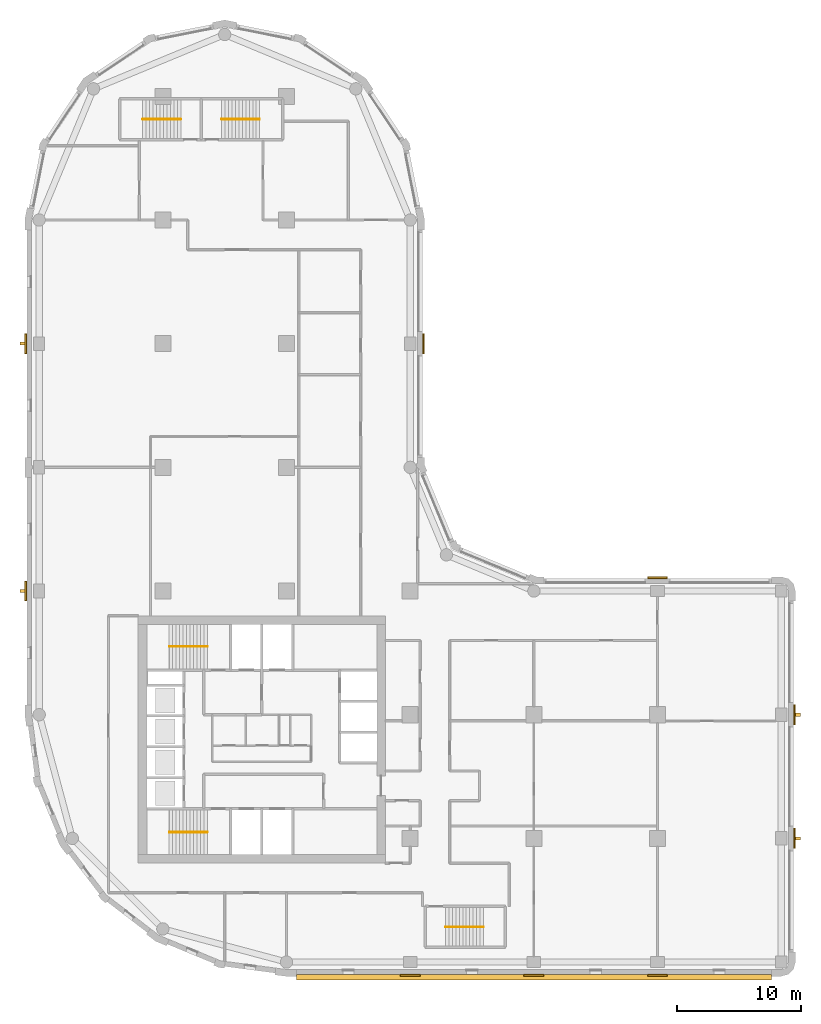
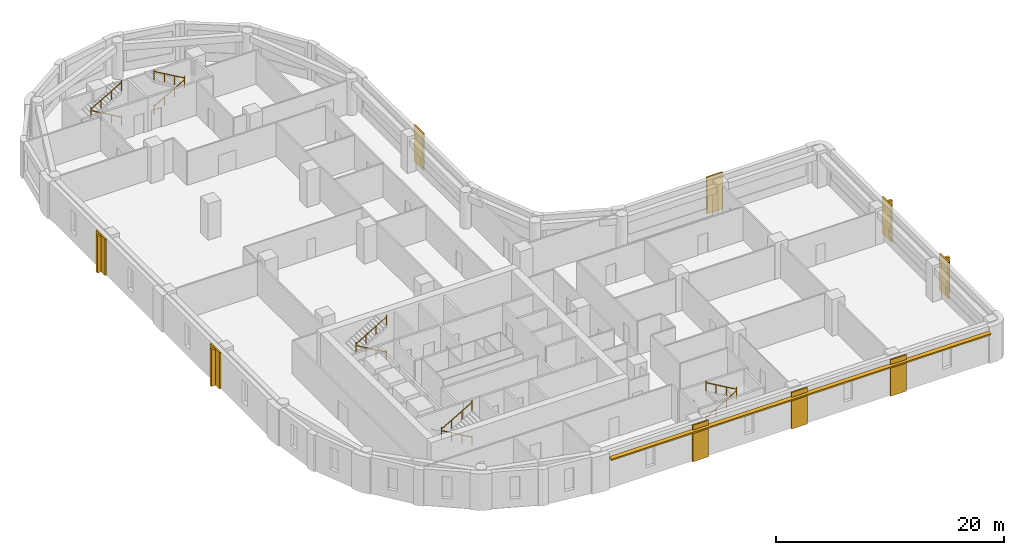
# One storey, part 8 of 9: 10 railings, 9 coverings, 5 shading devices.
"""IFC4 building model written with IfcOpenShell, lengths in metres."""

from ifc_helpers import new_model, si_unit, direction, frame, origin, origin_2d, place, context, subcontext, project, spatial, polyline, rectangle, circle, outline, extrude, material, layer, layer_set, type_object, element, save


model = new_model("IFC4")

# Units and contexts
model_context = context("Model", 3, precision=1e-05, world=origin(), true_north=direction((0.0, 1.0)))
body_context = subcontext(model_context, "Body", "Model", "MODEL_VIEW")
ifc_project = project(units=[si_unit("LENGTHUNIT", "METRE"), si_unit("AREAUNIT", "SQUARE_METRE"), si_unit("VOLUMEUNIT", "CUBIC_METRE"), si_unit("PLANEANGLEUNIT", "RADIAN"), si_unit("MASSUNIT", "GRAM", prefix="KILO")], contexts=[model_context])

# Site, building, storey
site_placement = place(None, origin())
site = spatial("IfcSite", under=ifc_project, at=site_placement, CompositionType="ELEMENT")
building_placement = place(site_placement, origin())
building = spatial("IfcBuilding", under=site, at=building_placement, Name="Qaws Garden Tower", CompositionType="ELEMENT")
storey_placement = place(building_placement, frame((0.0, 0.0, 159.0)))
storey = spatial("IfcBuildingStorey", under=building, at=storey_placement, Name="L38", CompositionType="ELEMENT", Elevation=159.0)

# Coverings
ifc_material_1 = material(Name="Clay facing brick masonry", Category="masonry")
ifc_layer_1 = layer(ifc_material_1, 0.14990234375)
ifc_layer_set_1 = layer_set([ifc_layer_1], Name="Clay facing brick masonry")
covering_type = type_object("IfcCoveringType", Name="Brick pilaster facing 150 x 1600", PredefinedType="CLADDING", material=ifc_layer_set_1)
placement = place(storey_placement, origin())
element("IfcCovering", 1, at=placement, inside=storey, type_object=covering_type, Name="E-L38-pier-01", PredefinedType="CLADDING", context=body_context, shape_type="SweptSolid", body=[
    extrude(outline(polyline([(29.199951171875, -1.0), (30.800048828125, -1.0), (30.800048828125, -1.14990234375), (29.199951171875, -1.14990234375), (29.199951171875, -1.0)])), origin(), (0.0, 0.0, 1.0), 3.89990234375),
])
element("IfcCovering", 2, at=placement, inside=storey, type_object=covering_type, Name="E-L38-pier-02", PredefinedType="CLADDING", context=body_context, shape_type="SweptSolid", body=[
    extrude(outline(polyline([(39.199951171875, -1.0), (40.800048828125, -1.0), (40.800048828125, -1.14990234375), (39.199951171875, -1.14990234375), (39.199951171875, -1.0)])), origin(), (0.0, 0.0, 1.0), 3.89990234375),
])
element("IfcCovering", 3, at=placement, inside=storey, type_object=covering_type, Name="E-L38-pier-03", PredefinedType="CLADDING", context=body_context, shape_type="SweptSolid", body=[
    extrude(outline(polyline([(49.199951171875, -1.0), (50.800048828125, -1.0), (50.800048828125, -1.14990234375), (49.199951171875, -1.14990234375), (49.199951171875, -1.0)])), origin(), (0.0, 0.0, 1.0), 3.89990234375),
])
element("IfcCovering", 4, at=placement, inside=storey, type_object=covering_type, Name="E-L38-pier-05", PredefinedType="CLADDING", context=body_context, shape_type="SweptSolid", body=[
    extrude(outline(polyline([(61.0, 9.199951171875), (61.0, 10.800048828125), (61.14990234375, 10.800048828125), (61.14990234375, 9.199951171875), (61.0, 9.199951171875)])), origin(), (0.0, 0.0, 1.0), 3.89990234375),
])
element("IfcCovering", 5, at=placement, inside=storey, type_object=covering_type, Name="E-L38-pier-06", PredefinedType="CLADDING", context=body_context, shape_type="SweptSolid", body=[
    extrude(outline(polyline([(61.0, 19.199951171875), (61.0, 20.800048828125), (61.14990234375, 20.800048828125), (61.14990234375, 19.199951171875), (61.0, 19.199951171875)])), origin(), (0.0, 0.0, 1.0), 3.89990234375),
])
element("IfcCovering", 6, at=placement, inside=storey, type_object=covering_type, Name="E-L38-pier-08", PredefinedType="CLADDING", context=body_context, shape_type="SweptSolid", body=[
    extrude(outline(polyline([(50.800048828125, 31.0), (49.199951171875, 31.0), (49.199951171875, 31.14990234375), (50.800048828125, 31.14990234375), (50.800048828125, 31.0)])), origin(), (0.0, 0.0, 1.0), 3.89990234375),
])
element("IfcCovering", 7, at=placement, inside=storey, type_object=covering_type, Name="E-L38-pier-12", PredefinedType="CLADDING", context=body_context, shape_type="SweptSolid", body=[
    extrude(outline(polyline([(31.0, 49.199951171875), (31.0, 50.800048828125), (31.14990234375, 50.800048828125), (31.14990234375, 49.199951171875), (31.0, 49.199951171875)])), origin(), (0.0, 0.0, 1.0), 3.89990234375),
])
element("IfcCovering", 8, at=placement, inside=storey, type_object=covering_type, Name="E-L38-pier-22", PredefinedType="CLADDING", context=body_context, shape_type="SweptSolid", body=[
    extrude(outline(polyline([(-1.0, 50.800048828125), (-1.0, 49.199951171875), (-1.14990234375, 49.199951171875), (-1.14990234375, 50.800048828125), (-1.0, 50.800048828125)])), origin(), (0.0, 0.0, 1.0), 3.89990234375),
])
element("IfcCovering", 9, at=placement, inside=storey, type_object=covering_type, Name="E-L38-pier-24", PredefinedType="CLADDING", context=body_context, shape_type="SweptSolid", body=[
    extrude(outline(polyline([(-1.0, 30.800048828125), (-1.0, 29.199951171875), (-1.14990234375, 29.199951171875), (-1.14990234375, 30.800048828125), (-1.0, 30.800048828125)])), origin(), (0.0, 0.0, 1.0), 3.89990234375),
])

# Shading devices
ifc_material_2 = material(Name="Clay facing brick masonry", Category="masonry")
ifc_layer_2 = layer(ifc_material_2, 0.14990234375)
ifc_layer_set_2 = layer_set([ifc_layer_2], Name="Clay facing brick masonry")
shading_device_type_1 = type_object("IfcShadingDeviceType", Name="Brick sunshade band 450 x 150", PredefinedType="JALOUSIE", material=ifc_layer_set_2)
shading_device_placement = place(storey_placement, frame((0.0, 0.0, 3.25)))
element("IfcShadingDevice", 10, at=shading_device_placement, inside=storey, type_object=shading_device_type_1, Name="SUNSHADE 00", PredefinedType="JALOUSIE", context=body_context, shape_type="SweptSolid", body=[
    extrude(outline(polyline([(20.800048828125, -1.0), (20.800048828125, -1.449951171875), (59.199951171875, -1.449951171875), (59.199951171875, -1.0), (50.800048828125, -1.0), (50.800048828125, -1.14990234375), (49.199951171875, -1.14990234375), (49.199951171875, -1.0), (40.800048828125, -1.0), (40.800048828125, -1.14990234375), (39.199951171875, -1.14990234375), (39.199951171875, -1.0), (30.800048828125, -1.0), (30.800048828125, -1.14990234375), (29.199951171875, -1.14990234375), (29.199951171875, -1.0), (20.800048828125, -1.0)])), origin(), (0.0, 0.0, 1.0), 0.14990234375),
])
ifc_material_3 = material(Name="Clay facing brick masonry", Category="masonry")
ifc_layer_3 = layer(ifc_material_3, 0.25)
ifc_layer_set_3 = layer_set([ifc_layer_3], Name="Clay facing brick masonry")
shading_device_type_2 = type_object("IfcShadingDeviceType", Name="Brick-faced fin 250 x 400", PredefinedType="USERDEFINED", material=ifc_layer_set_3)
for number, where, z_axis, x_axis, name in (
    (11, (61.35009765625, 10.0, 0.0), (0.0, 0.0, 1.0), (0.0, 1.0, 0.0), "FIN 05"),
    (12, (61.35009765625, 20.0, 0.0), (0.0, 0.0, 1.0), (0.0, 1.0, 0.0), "FIN 06"),
    (13, (-1.35009765625, 50.0, 0.0), (0.0, 0.0, 1.0), (0.0, -1.0, 0.0), "FIN 22"),
    (14, (-1.35009765625, 30.0, 0.0), (0.0, 0.0, 1.0), (0.0, -1.0, 0.0), "FIN 24"),
):
    element("IfcShadingDevice", number, at=place(storey_placement, frame(where, z_axis=z_axis, x_axis=x_axis)), inside=storey, type_object=shading_device_type_2, Name=name, ObjectType="FIN", PredefinedType="USERDEFINED", context=body_context, shape_type="SweptSolid", body=[
        extrude(rectangle(XDim=0.25, YDim=0.39990234375, at=origin_2d()), origin(), (0.0, 0.0, 1.0), 3.89990234375),
    ])

# Railings
ifc_material_4 = material(Name="Steel S355", Category="steel")
railing_type = type_object("IfcRailingType", Name="Stair handrail 900", PredefinedType="HANDRAIL", material=ifc_material_4)
railing_1_placement = place(storey_placement, frame((13.60009765625, 10.5, 0.16259765625)))
element("IfcRailing", 15, at=railing_1_placement, inside=storey, type_object=railing_type, Name="Stair 1 handrail", PredefinedType="HANDRAIL", context=body_context, shape_type="SweptSolid", body=[
    extrude(circle(Radius=0.02392578125, at=origin_2d()), frame((0.0, 0.0, 0.8759765625), z_axis=(-0.864920483161, 0.0, 0.501908913857), x_axis=(0.0, -1.0, 0.0)), (0.0, 0.0, 1.0), 3.56103515625),
    extrude(circle(Radius=0.02099609375, at=origin_2d()), origin(), (0.0, 0.0, 1.0), 1.06201171875),
    extrude(circle(Radius=0.02099609375, at=origin_2d()), frame((-1.026611328125, 0.0, 0.595703125)), (0.0, 0.0, 1.0), 0.851806640625),
    extrude(circle(Radius=0.02099609375, at=origin_2d()), frame((-2.053466796875, 0.0, 1.191650390625)), (0.0, 0.0, 1.0), 0.851806640625),
    extrude(circle(Radius=0.02099609375, at=origin_2d()), frame((-3.080078125, 0.0, 1.787353515625)), (0.0, 0.0, 1.0), 1.06201171875),
])
railing_2_placement = place(storey_placement, frame((10.52001953125, 10.5, 2.112548828125)))
element("IfcRailing", 16, at=railing_2_placement, inside=storey, type_object=railing_type, Name="Stair 1 handrail", PredefinedType="HANDRAIL", context=body_context, shape_type="SweptSolid", body=[
    extrude(circle(Radius=0.02392578125, at=origin_2d()), frame((0.0, 0.0, 0.8759765625), z_axis=(0.864920483161, 0.0, 0.501908913857), x_axis=(0.0, 1.0, 0.0)), (0.0, 0.0, 1.0), 3.56103515625),
    extrude(circle(Radius=0.02099609375, at=origin_2d()), origin(), (0.0, 0.0, 1.0), 1.06201171875),
    extrude(circle(Radius=0.02099609375, at=origin_2d()), frame((1.026611328125, 0.0, 0.595703125)), (0.0, 0.0, 1.0), 0.851806640625),
    extrude(circle(Radius=0.02099609375, at=origin_2d()), frame((2.053466796875, 0.0, 1.191650390625)), (0.0, 0.0, 1.0), 0.851806640625),
    extrude(circle(Radius=0.02099609375, at=origin_2d()), frame((3.080078125, 0.0, 1.787353515625)), (0.0, 0.0, 1.0), 1.06201171875),
])
railing_3_placement = place(storey_placement, frame((13.60009765625, 25.5, 0.16259765625)))
element("IfcRailing", 17, at=railing_3_placement, inside=storey, type_object=railing_type, Name="Stair 4 handrail", PredefinedType="HANDRAIL", context=body_context, shape_type="SweptSolid", body=[
    extrude(circle(Radius=0.02392578125, at=origin_2d()), frame((0.0, 0.0, 0.8759765625), z_axis=(-0.864920483161, 0.0, 0.501908913857), x_axis=(0.0, -1.0, 0.0)), (0.0, 0.0, 1.0), 3.56103515625),
    extrude(circle(Radius=0.02099609375, at=origin_2d()), origin(), (0.0, 0.0, 1.0), 1.06201171875),
    extrude(circle(Radius=0.02099609375, at=origin_2d()), frame((-1.026611328125, 0.0, 0.595703125)), (0.0, 0.0, 1.0), 0.851806640625),
    extrude(circle(Radius=0.02099609375, at=origin_2d()), frame((-2.053466796875, 0.0, 1.191650390625)), (0.0, 0.0, 1.0), 0.851806640625),
    extrude(circle(Radius=0.02099609375, at=origin_2d()), frame((-3.080078125, 0.0, 1.787353515625)), (0.0, 0.0, 1.0), 1.06201171875),
])
railing_4_placement = place(storey_placement, frame((10.52001953125, 25.5, 2.112548828125)))
element("IfcRailing", 18, at=railing_4_placement, inside=storey, type_object=railing_type, Name="Stair 4 handrail", PredefinedType="HANDRAIL", context=body_context, shape_type="SweptSolid", body=[
    extrude(circle(Radius=0.02392578125, at=origin_2d()), frame((0.0, 0.0, 0.8759765625), z_axis=(0.864920483161, 0.0, 0.501908913857), x_axis=(0.0, 1.0, 0.0)), (0.0, 0.0, 1.0), 3.56103515625),
    extrude(circle(Radius=0.02099609375, at=origin_2d()), origin(), (0.0, 0.0, 1.0), 1.06201171875),
    extrude(circle(Radius=0.02099609375, at=origin_2d()), frame((1.026611328125, 0.0, 0.595703125)), (0.0, 0.0, 1.0), 0.851806640625),
    extrude(circle(Radius=0.02099609375, at=origin_2d()), frame((2.053466796875, 0.0, 1.191650390625)), (0.0, 0.0, 1.0), 0.851806640625),
    extrude(circle(Radius=0.02099609375, at=origin_2d()), frame((3.080078125, 0.0, 1.787353515625)), (0.0, 0.0, 1.0), 1.06201171875),
])
railing_5_placement = place(storey_placement, frame((32.85009765625, 2.85009765625, 0.16259765625)))
element("IfcRailing", 19, at=railing_5_placement, inside=storey, type_object=railing_type, Name="Stair 5 handrail", PredefinedType="HANDRAIL", context=body_context, shape_type="SweptSolid", body=[
    extrude(circle(Radius=0.02392578125, at=origin_2d()), frame((0.0, 0.0, 0.8759765625), z_axis=(0.864903211148, 0.0, 0.501938676878), x_axis=(0.0, 1.0, 0.0)), (0.0, 0.0, 1.0), 3.560791015625),
    extrude(circle(Radius=0.02099609375, at=origin_2d()), origin(), (0.0, 0.0, 1.0), 1.06201171875),
    extrude(circle(Radius=0.02099609375, at=origin_2d()), frame((1.026611328125, 0.0, 0.595703125)), (0.0, 0.0, 1.0), 0.851806640625),
    extrude(circle(Radius=0.02099609375, at=origin_2d()), frame((2.05322265625, 0.0, 1.191650390625)), (0.0, 0.0, 1.0), 0.851806640625),
    extrude(circle(Radius=0.02099609375, at=origin_2d()), frame((3.079833984375, 0.0, 1.787353515625)), (0.0, 0.0, 1.0), 1.06201171875),
])
for number, where, name in (
    (20, (35.929931640625, 2.85009765625, 2.112548828125), "Stair 5 handrail"),
    (21, (11.449951171875, 68.14990234375, 0.16259765625), "Stair 6 handrail"),
):
    element("IfcRailing", number, at=place(storey_placement, frame(where)), inside=storey, type_object=railing_type, Name=name, PredefinedType="HANDRAIL", context=body_context, shape_type="SweptSolid", body=[
        extrude(circle(Radius=0.02392578125, at=origin_2d()), frame((0.0, 0.0, 0.8759765625), z_axis=(-0.864903211148, 0.0, 0.501938676878), x_axis=(0.0, -1.0, 0.0)), (0.0, 0.0, 1.0), 3.560791015625),
        extrude(circle(Radius=0.02099609375, at=origin_2d()), origin(), (0.0, 0.0, 1.0), 1.06201171875),
        extrude(circle(Radius=0.02099609375, at=origin_2d()), frame((-1.026611328125, 0.0, 0.595703125)), (0.0, 0.0, 1.0), 0.851806640625),
        extrude(circle(Radius=0.02099609375, at=origin_2d()), frame((-2.05322265625, 0.0, 1.191650390625)), (0.0, 0.0, 1.0), 0.851806640625),
        extrude(circle(Radius=0.02099609375, at=origin_2d()), frame((-3.079833984375, 0.0, 1.787353515625)), (0.0, 0.0, 1.0), 1.06201171875),
    ])
railing_6_placement = place(storey_placement, frame((8.3701171875, 68.14990234375, 2.112548828125)))
element("IfcRailing", 22, at=railing_6_placement, inside=storey, type_object=railing_type, Name="Stair 6 handrail", PredefinedType="HANDRAIL", context=body_context, shape_type="SweptSolid", body=[
    extrude(circle(Radius=0.02392578125, at=origin_2d()), frame((0.0, 0.0, 0.8759765625), z_axis=(0.864903211148, 0.0, 0.501938676878), x_axis=(0.0, 1.0, 0.0)), (0.0, 0.0, 1.0), 3.560791015625),
    extrude(circle(Radius=0.02099609375, at=origin_2d()), origin(), (0.0, 0.0, 1.0), 1.06201171875),
    extrude(circle(Radius=0.02099609375, at=origin_2d()), frame((1.026611328125, 0.0, 0.595703125)), (0.0, 0.0, 1.0), 0.851806640625),
    extrude(circle(Radius=0.02099609375, at=origin_2d()), frame((2.05322265625, 0.0, 1.191650390625)), (0.0, 0.0, 1.0), 0.851806640625),
    extrude(circle(Radius=0.02099609375, at=origin_2d()), frame((3.079833984375, 0.0, 1.787353515625)), (0.0, 0.0, 1.0), 1.06201171875),
])
railing_7_placement = place(storey_placement, frame((14.75, 68.14990234375, 0.16259765625)))
element("IfcRailing", 23, at=railing_7_placement, inside=storey, type_object=railing_type, Name="Stair 7 handrail", PredefinedType="HANDRAIL", context=body_context, shape_type="SweptSolid", body=[
    extrude(circle(Radius=0.02392578125, at=origin_2d()), frame((0.0, 0.0, 0.8759765625), z_axis=(0.864920483161, 0.0, 0.501908913857), x_axis=(0.0, 1.0, 0.0)), (0.0, 0.0, 1.0), 3.56103515625),
    extrude(circle(Radius=0.02099609375, at=origin_2d()), origin(), (0.0, 0.0, 1.0), 1.06201171875),
    extrude(circle(Radius=0.02099609375, at=origin_2d()), frame((1.026611328125, 0.0, 0.595703125)), (0.0, 0.0, 1.0), 0.851806640625),
    extrude(circle(Radius=0.02099609375, at=origin_2d()), frame((2.053466796875, 0.0, 1.191650390625)), (0.0, 0.0, 1.0), 0.851806640625),
    extrude(circle(Radius=0.02099609375, at=origin_2d()), frame((3.080078125, 0.0, 1.787353515625)), (0.0, 0.0, 1.0), 1.06201171875),
])
railing_8_placement = place(storey_placement, frame((17.830078125, 68.14990234375, 2.112548828125)))
element("IfcRailing", 24, at=railing_8_placement, inside=storey, type_object=railing_type, Name="Stair 7 handrail", PredefinedType="HANDRAIL", context=body_context, shape_type="SweptSolid", body=[
    extrude(circle(Radius=0.02392578125, at=origin_2d()), frame((0.0, 0.0, 0.8759765625), z_axis=(-0.864920483161, 0.0, 0.501908913857), x_axis=(0.0, -1.0, 0.0)), (0.0, 0.0, 1.0), 3.56103515625),
    extrude(circle(Radius=0.02099609375, at=origin_2d()), origin(), (0.0, 0.0, 1.0), 1.06201171875),
    extrude(circle(Radius=0.02099609375, at=origin_2d()), frame((-1.026611328125, 0.0, 0.595703125)), (0.0, 0.0, 1.0), 0.851806640625),
    extrude(circle(Radius=0.02099609375, at=origin_2d()), frame((-2.053466796875, 0.0, 1.191650390625)), (0.0, 0.0, 1.0), 0.851806640625),
    extrude(circle(Radius=0.02099609375, at=origin_2d()), frame((-3.080078125, 0.0, 1.787353515625)), (0.0, 0.0, 1.0), 1.06201171875),
])

save(model, "model.ifc")
